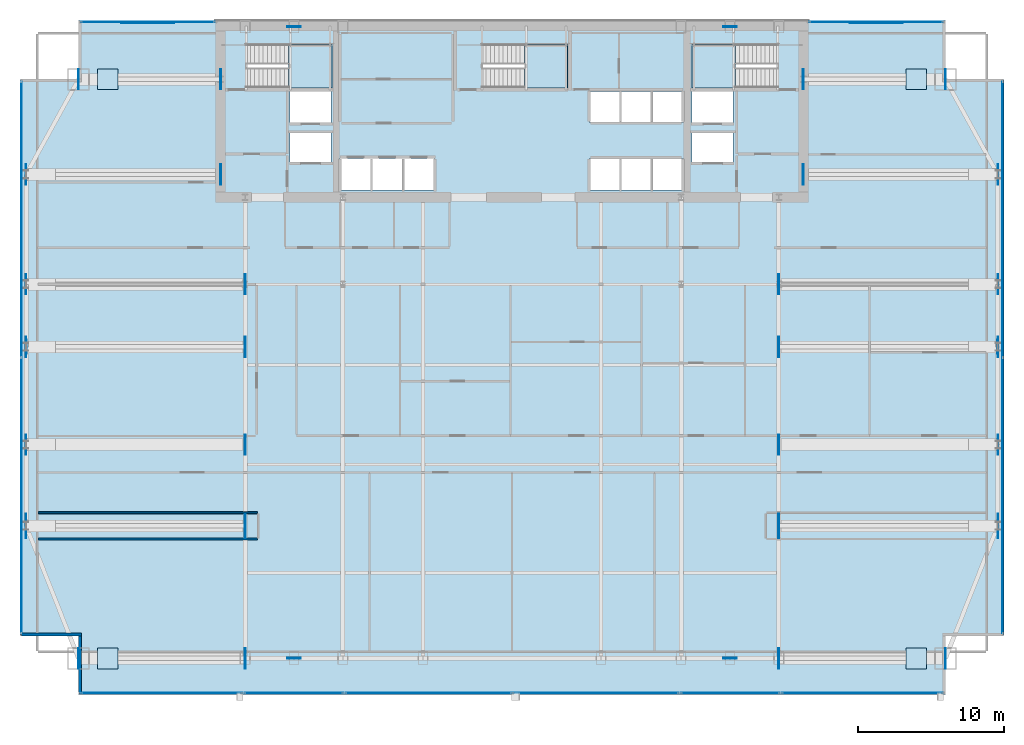
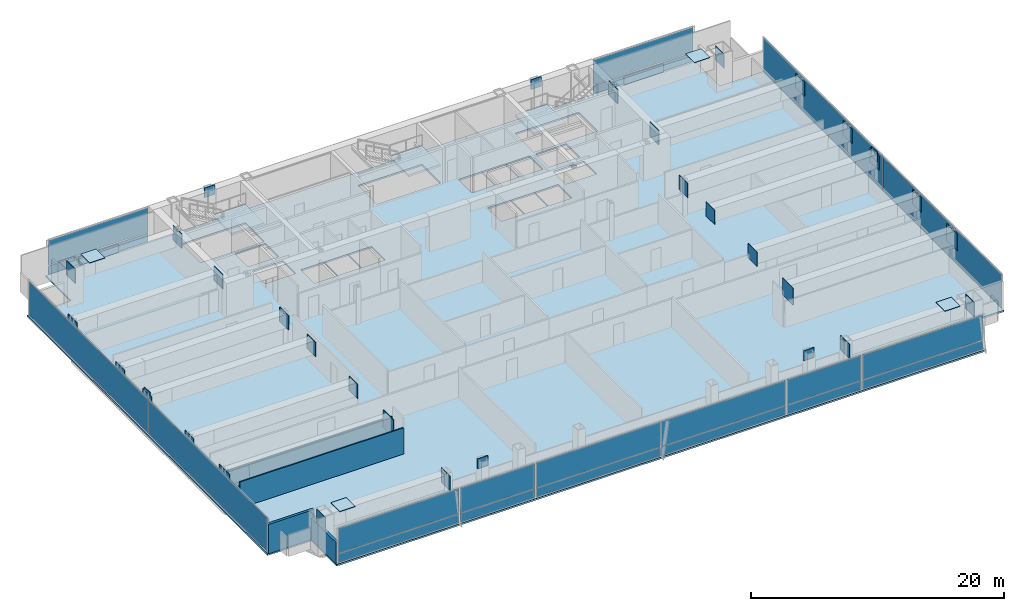
# One storey, part 24 of 30: 60 plates, 4 slabs, 4 walls, 12 elements without a shape of their own.
"""IFC4 building model written with IfcOpenShell, lengths in metres."""

from ifc_helpers import new_model, si_unit, direction, frame, frame_2d, origin, origin_2d, place, context, subcontext, project, spatial, polyline, rectangle, outline, extrude, material, layer, layer_set, type_object, element, aggregate, save


model = new_model("IFC4")

# Units and contexts
model_context = context("Model", 3, precision=1e-05, world=origin(), true_north=direction((0.0, 1.0)))
body_context = subcontext(model_context, "Body", "Model", "MODEL_VIEW")
ifc_project = project(units=[si_unit("LENGTHUNIT", "METRE"), si_unit("AREAUNIT", "SQUARE_METRE"), si_unit("VOLUMEUNIT", "CUBIC_METRE"), si_unit("PLANEANGLEUNIT", "RADIAN"), si_unit("MASSUNIT", "GRAM", prefix="KILO")], contexts=[model_context])

# Site, building, storey
site_placement = place(None, origin())
site = spatial("IfcSite", under=ifc_project, at=site_placement, CompositionType="ELEMENT")
building_placement = place(site_placement, origin())
building = spatial("IfcBuilding", under=site, at=building_placement, Name="Khoronbel Lancet Exchange", CompositionType="ELEMENT")
storey_placement = place(building_placement, frame((0.0, 0.0, 132.60009765625)))
storey = spatial("IfcBuildingStorey", under=building, at=storey_placement, Name="L32", CompositionType="ELEMENT", Elevation=132.60009765625)

# Curtain wall, plates
ifc_material_1 = material(Name="Low-E Solar Control Insulating Glass", Category="glass")
curtain_wall_type_1 = type_object("IfcCurtainWallType", Name="CW-4", PredefinedType="NOTDEFINED", material=ifc_material_1)
curtain_wall_1_placement = place(storey_placement, origin())
curtain_wall_1 = element("IfcCurtainWall", 1, at=curtain_wall_1_placement, inside=storey, type_object=curtain_wall_type_1, Name="Unitised curtain wall CW-L32-E03", PredefinedType="NOTDEFINED")
ifc_material_2 = material(Name="Bronze-Anodised Aluminium 6063-T6", Category="aluminium")
ifc_layer_1 = layer(ifc_material_2, 0.050048828125, Name="Bronze-Anodised Aluminium 6063-T6")
ifc_layer_set_1 = layer_set([ifc_layer_1], Name="Bronze-Anodised Aluminium 6063-T6")
plate_type_1 = type_object("IfcPlateType", Name="PLT-CSP1", PredefinedType="SHEET", material=ifc_layer_set_1)
plate_1_placement = place(storey_placement, frame((2.93994140625, 21.263671875, 0.0849609375), z_axis=(0.0, 0.0, 1.0), x_axis=(0.0, 1.0, 0.0)))
plate_1 = element("IfcPlate", 2, at=plate_1_placement, type_object=plate_type_1, Name="CW4 panel 1.1", PredefinedType="CURTAIN_PANEL", context=body_context, shape_type="SweptSolid", body=[
    extrude(rectangle(XDim=18.797607421875, YDim=0.0380859375, at=origin_2d()), origin(), (0.0, 0.0, 1.0), 3.27001953125),
])
plate_2_placement = place(storey_placement, frame((2.93994140625, 40.13623046875, 0.0849609375), z_axis=(0.0, 0.0, 1.0), x_axis=(0.0, 1.0, 0.0)))
plate_2 = element("IfcPlate", 3, at=plate_2_placement, type_object=plate_type_1, Name="CW4 panel 2.1", PredefinedType="CURTAIN_PANEL", context=body_context, shape_type="SweptSolid", body=[
    extrude(rectangle(XDim=18.797607421875, YDim=0.0380859375, at=origin_2d()), origin(), (0.0, 0.0, 1.0), 3.27001953125),
])
aggregate(curtain_wall_1, [plate_1, plate_2])

# Curtain wall, plate
curtain_wall_type_2 = type_object("IfcCurtainWallType", Name="CW-2", PredefinedType="NOTDEFINED", material=ifc_material_1)
curtain_wall_2_placement = place(storey_placement, origin())
curtain_wall_2 = element("IfcCurtainWall", 4, at=curtain_wall_2_placement, inside=storey, type_object=curtain_wall_type_2, Name="Unitised curtain wall CW-L32-NWFLK", PredefinedType="NOTDEFINED")
plate_3_placement = place(storey_placement, frame((11.580078125, 53.550048828125, 0.0498046875), z_axis=(0.0, 0.0, 1.0), x_axis=(-1.0, 0.0, 0.0)))
plate_3 = element("IfcPlate", 5, at=plate_3_placement, type_object=plate_type_1, Name="Insulated bronze spandrel cassette CW-L32-NWFLK", PredefinedType="SHEET", context=body_context, shape_type="SweptSolid", body=[
    extrude(rectangle(XDim=3.60009765625, YDim=0.050048828125, at=origin_2d()), origin(), (0.0, 0.0, 1.0), 0.800048828125),
])

curtain_wall_3_placement = place(storey_placement, origin())
curtain_wall_3 = element("IfcCurtainWall", 6, at=curtain_wall_3_placement, inside=storey, type_object=curtain_wall_type_2, Name="Unitised curtain wall CW-L32-NEFLK", PredefinedType="NOTDEFINED")
plate_4_placement = place(storey_placement, frame((61.320068359375, 53.550048828125, 0.0498046875), z_axis=(0.0, 0.0, 1.0), x_axis=(-1.0, 0.0, 0.0)))
plate_4 = element("IfcPlate", 7, at=plate_4_placement, type_object=plate_type_1, Name="Insulated bronze spandrel cassette CW-L32-NEFLK", PredefinedType="SHEET", context=body_context, shape_type="SweptSolid", body=[
    extrude(rectangle(XDim=3.60009765625, YDim=0.050048828125, at=origin_2d()), origin(), (0.0, 0.0, 1.0), 0.800048828125),
])

# Curtain wall, plates
curtain_wall_4_placement = place(storey_placement, origin())
curtain_wall_4 = element("IfcCurtainWall", 8, at=curtain_wall_4_placement, inside=storey, type_object=curtain_wall_type_1, Name="Unitised curtain wall CW-L32-E09", PredefinedType="NOTDEFINED")
plate_5_placement = place(storey_placement, frame((69.9599609375, 40.13623046875, 0.0849609375), z_axis=(0.0, 0.0, 1.0), x_axis=(0.0, -1.0, 0.0)))
plate_5 = element("IfcPlate", 9, at=plate_5_placement, type_object=plate_type_1, Name="CW4 panel 1.1", PredefinedType="CURTAIN_PANEL", context=body_context, shape_type="SweptSolid", body=[
    extrude(rectangle(XDim=18.797607421875, YDim=0.0380859375, at=origin_2d()), origin(), (0.0, 0.0, 1.0), 3.27001953125),
])
plate_6_placement = place(storey_placement, frame((69.9599609375, 21.263671875, 0.0849609375), z_axis=(0.0, 0.0, 1.0), x_axis=(0.0, -1.0, 0.0)))
plate_6 = element("IfcPlate", 10, at=plate_6_placement, type_object=plate_type_1, Name="CW4 panel 2.1", PredefinedType="CURTAIN_PANEL", context=body_context, shape_type="SweptSolid", body=[
    extrude(rectangle(XDim=18.797607421875, YDim=0.0380859375, at=origin_2d()), origin(), (0.0, 0.0, 1.0), 3.27001953125),
])
aggregate(curtain_wall_4, [plate_5, plate_6])

curtain_wall_5_placement = place(storey_placement, origin())
curtain_wall_5 = element("IfcCurtainWall", 11, at=curtain_wall_5_placement, inside=storey, type_object=curtain_wall_type_2, Name="Unitised curtain wall CW-L32-SWB", PredefinedType="NOTDEFINED")
plate_7_placement = place(storey_placement, frame((21.550048828125, 7.7900390625, 0.0849609375), z_axis=(0.0, 0.0, 1.0), x_axis=(1.0, 0.0, 0.0)))
plate_7 = element("IfcPlate", 12, at=plate_7_placement, type_object=plate_type_1, Name="CW2 panel 1.1", PredefinedType="CURTAIN_PANEL", context=body_context, shape_type="SweptSolid", body=[
    extrude(rectangle(XDim=6.72998046875, YDim=0.0380859375, at=origin_2d()), origin(), (0.0, 0.0, 1.0), 0.822509765625),
])
plate_8_placement = place(storey_placement, frame((21.550048828125, 7.7900390625, 0.9921875), z_axis=(0.0, 0.0, 1.0), x_axis=(1.0, 0.0, 0.0)))
plate_8 = element("IfcPlate", 13, at=plate_8_placement, type_object=plate_type_1, Name="CW2 panel 1.2", PredefinedType="CURTAIN_PANEL", context=body_context, shape_type="SweptSolid", body=[
    extrude(rectangle(XDim=6.72998046875, YDim=0.0380859375, at=origin_2d()), origin(), (0.0, 0.0, 1.0), 2.362548828125),
])
aggregate(curtain_wall_5, [plate_7, plate_8])

curtain_wall_6_placement = place(storey_placement, origin())
curtain_wall_6 = element("IfcCurtainWall", 14, at=curtain_wall_6_placement, inside=storey, type_object=curtain_wall_type_2, Name="Unitised curtain wall CW-L32-SEB", PredefinedType="NOTDEFINED")
plate_9_placement = place(storey_placement, frame((51.35009765625, 7.7900390625, 0.0849609375), z_axis=(0.0, 0.0, 1.0), x_axis=(1.0, 0.0, 0.0)))
plate_9 = element("IfcPlate", 15, at=plate_9_placement, type_object=plate_type_1, Name="CW2 panel 1.1", PredefinedType="CURTAIN_PANEL", context=body_context, shape_type="SweptSolid", body=[
    extrude(rectangle(XDim=6.72998046875, YDim=0.0380859375, at=origin_2d()), origin(), (0.0, 0.0, 1.0), 0.822509765625),
])
plate_10_placement = place(storey_placement, frame((51.35009765625, 7.7900390625, 0.9921875), z_axis=(0.0, 0.0, 1.0), x_axis=(1.0, 0.0, 0.0)))
plate_10 = element("IfcPlate", 16, at=plate_10_placement, type_object=plate_type_1, Name="CW2 panel 1.2", PredefinedType="CURTAIN_PANEL", context=body_context, shape_type="SweptSolid", body=[
    extrude(rectangle(XDim=6.72998046875, YDim=0.0380859375, at=origin_2d()), origin(), (0.0, 0.0, 1.0), 2.362548828125),
])
aggregate(curtain_wall_6, [plate_9, plate_10])

# Plate
ifc_layer_2 = layer(ifc_material_1, 0.035888671875, Name="Low-E Solar Control Insulating Glass")
ifc_layer_set_2 = layer_set([ifc_layer_2], Name="Low-E Solar Control Insulating Glass")
plate_type_2 = type_object("IfcPlateType", Name="PLT-CWP1", PredefinedType="CURTAIN_PANEL", material=ifc_layer_set_2)
plate_11_placement = place(storey_placement, frame((11.580078125, 53.610107421875, 0.0849609375), z_axis=(0.0, 0.0, 1.0), x_axis=(-1.0, 0.0, 0.0)))
plate_11 = element("IfcPlate", 17, at=plate_11_placement, type_object=plate_type_2, Name="CW2 panel 1.1", PredefinedType="CURTAIN_PANEL", context=body_context, shape_type="SweptSolid", body=[
    extrude(rectangle(XDim=9.110107421875, YDim=0.0380859375, at=origin_2d()), origin(), (0.0, 0.0, 1.0), 0.822509765625),
])

plate_12_placement = place(storey_placement, frame((11.580078125, 53.610107421875, 0.9921875), z_axis=(0.0, 0.0, 1.0), x_axis=(-1.0, 0.0, 0.0)))
plate_12 = element("IfcPlate", 18, at=plate_12_placement, type_object=plate_type_2, Name="CW2 panel 1.2", PredefinedType="CURTAIN_PANEL", context=body_context, shape_type="SweptSolid", body=[
    extrude(rectangle(XDim=9.110107421875, YDim=0.0380859375, at=origin_2d()), origin(), (0.0, 0.0, 1.0), 2.362548828125),
])

aggregate(curtain_wall_2, [plate_11, plate_12, plate_3])

plate_13_placement = place(storey_placement, frame((61.320068359375, 53.610107421875, 0.0849609375), z_axis=(0.0, 0.0, 1.0), x_axis=(-1.0, 0.0, 0.0)))
plate_13 = element("IfcPlate", 19, at=plate_13_placement, type_object=plate_type_2, Name="CW2 panel 1.1", PredefinedType="CURTAIN_PANEL", context=body_context, shape_type="SweptSolid", body=[
    extrude(rectangle(XDim=9.110107421875, YDim=0.0380859375, at=origin_2d()), origin(), (0.0, 0.0, 1.0), 0.822509765625),
])

plate_14_placement = place(storey_placement, frame((61.320068359375, 53.610107421875, 0.9921875), z_axis=(0.0, 0.0, 1.0), x_axis=(-1.0, 0.0, 0.0)))
plate_14 = element("IfcPlate", 20, at=plate_14_placement, type_object=plate_type_2, Name="CW2 panel 1.2", PredefinedType="CURTAIN_PANEL", context=body_context, shape_type="SweptSolid", body=[
    extrude(rectangle(XDim=9.110107421875, YDim=0.0380859375, at=origin_2d()), origin(), (0.0, 0.0, 1.0), 2.362548828125),
])

aggregate(curtain_wall_3, [plate_13, plate_14, plate_4])

# Curtain wall, plates
curtain_wall_7_placement = place(storey_placement, origin())
curtain_wall_7 = element("IfcCurtainWall", 21, at=curtain_wall_7_placement, inside=storey, type_object=curtain_wall_type_2, Name="Unitised curtain wall CW-L32-SWV", PredefinedType="NOTDEFINED")
plate_15_placement = place(storey_placement, frame((12.52001953125, 7.7900390625, 0.0849609375), z_axis=(0.0, 0.0, 1.0), x_axis=(1.0, 0.0, 0.0)))
plate_15 = element("IfcPlate", 22, at=plate_15_placement, type_object=plate_type_2, Name="CW2 panel 1.1", PredefinedType="CURTAIN_PANEL", context=body_context, shape_type="SweptSolid", body=[
    extrude(rectangle(XDim=10.989990234375, YDim=0.0380859375, at=origin_2d()), origin(), (0.0, 0.0, 1.0), 0.822509765625),
])
plate_16_placement = place(storey_placement, frame((12.52001953125, 7.7900390625, 0.9921875), z_axis=(0.0, 0.0, 1.0), x_axis=(1.0, 0.0, 0.0)))
plate_16 = element("IfcPlate", 23, at=plate_16_placement, type_object=plate_type_2, Name="CW2 panel 1.2", PredefinedType="CURTAIN_PANEL", context=body_context, shape_type="SweptSolid", body=[
    extrude(rectangle(XDim=10.989990234375, YDim=0.0380859375, at=origin_2d()), origin(), (0.0, 0.0, 1.0), 2.362548828125),
])
aggregate(curtain_wall_7, [plate_15, plate_16])

curtain_wall_8_placement = place(storey_placement, origin())
curtain_wall_8 = element("IfcCurtainWall", 24, at=curtain_wall_8_placement, inside=storey, type_object=curtain_wall_type_2, Name="Unitised curtain wall CW-L32-SCV", PredefinedType="NOTDEFINED")
plate_17_placement = place(storey_placement, frame((30.746337890625, 7.7900390625, 0.0849609375), z_axis=(0.0, 0.0, 1.0), x_axis=(1.0, 0.0, 0.0)))
plate_17 = element("IfcPlate", 25, at=plate_17_placement, type_object=plate_type_2, Name="CW2 panel 1.1", PredefinedType="CURTAIN_PANEL", context=body_context, shape_type="SweptSolid", body=[
    extrude(rectangle(XDim=11.322509765625, YDim=0.0380859375, at=origin_2d()), origin(), (0.0, 0.0, 1.0), 0.822509765625),
])
plate_18_placement = place(storey_placement, frame((30.746337890625, 7.7900390625, 0.9921875), z_axis=(0.0, 0.0, 1.0), x_axis=(1.0, 0.0, 0.0)))
plate_18 = element("IfcPlate", 26, at=plate_18_placement, type_object=plate_type_2, Name="CW2 panel 1.2", PredefinedType="CURTAIN_PANEL", context=body_context, shape_type="SweptSolid", body=[
    extrude(rectangle(XDim=11.322509765625, YDim=0.0380859375, at=origin_2d()), origin(), (0.0, 0.0, 1.0), 2.362548828125),
])
plate_19_placement = place(storey_placement, frame((42.15380859375, 7.7900390625, 0.0849609375), z_axis=(0.0, 0.0, 1.0), x_axis=(1.0, 0.0, 0.0)))
plate_19 = element("IfcPlate", 27, at=plate_19_placement, type_object=plate_type_2, Name="CW2 panel 2.1", PredefinedType="CURTAIN_PANEL", context=body_context, shape_type="SweptSolid", body=[
    extrude(rectangle(XDim=11.322509765625, YDim=0.0380859375, at=origin_2d()), origin(), (0.0, 0.0, 1.0), 0.822509765625),
])
plate_20_placement = place(storey_placement, frame((42.15380859375, 7.7900390625, 0.9921875), z_axis=(0.0, 0.0, 1.0), x_axis=(1.0, 0.0, 0.0)))
plate_20 = element("IfcPlate", 28, at=plate_20_placement, type_object=plate_type_2, Name="CW2 panel 2.2", PredefinedType="CURTAIN_PANEL", context=body_context, shape_type="SweptSolid", body=[
    extrude(rectangle(XDim=11.322509765625, YDim=0.0380859375, at=origin_2d()), origin(), (0.0, 0.0, 1.0), 2.362548828125),
])
aggregate(curtain_wall_8, [plate_17, plate_18, plate_19, plate_20])

curtain_wall_9_placement = place(storey_placement, origin())
curtain_wall_9 = element("IfcCurtainWall", 29, at=curtain_wall_9_placement, inside=storey, type_object=curtain_wall_type_2, Name="Unitised curtain wall CW-L32-SEV", PredefinedType="NOTDEFINED")
plate_21_placement = place(storey_placement, frame((60.3798828125, 7.7900390625, 0.0849609375), z_axis=(0.0, 0.0, 1.0), x_axis=(1.0, 0.0, 0.0)))
plate_21 = element("IfcPlate", 30, at=plate_21_placement, type_object=plate_type_2, Name="CW2 panel 1.1", PredefinedType="CURTAIN_PANEL", context=body_context, shape_type="SweptSolid", body=[
    extrude(rectangle(XDim=10.989990234375, YDim=0.0380859375, at=origin_2d()), origin(), (0.0, 0.0, 1.0), 0.822509765625),
])
plate_22_placement = place(storey_placement, frame((60.3798828125, 7.7900390625, 0.9921875), z_axis=(0.0, 0.0, 1.0), x_axis=(1.0, 0.0, 0.0)))
plate_22 = element("IfcPlate", 31, at=plate_22_placement, type_object=plate_type_2, Name="CW2 panel 1.2", PredefinedType="CURTAIN_PANEL", context=body_context, shape_type="SweptSolid", body=[
    extrude(rectangle(XDim=10.989990234375, YDim=0.0380859375, at=origin_2d()), origin(), (0.0, 0.0, 1.0), 2.362548828125),
])
aggregate(curtain_wall_9, [plate_21, plate_22])

# Plates
ifc_material_3 = material(Name="Steel S460", Category="steel")
ifc_layer_3 = layer(ifc_material_3, 0.044921875, Name="Steel S460")
ifc_layer_set_3 = layer_set([ifc_layer_3], Name="Steel S460")
plate_type_3 = type_object("IfcPlateType", Name="PLT-ECP1", PredefinedType="USERDEFINED", material=ifc_layer_set_3)
for number, where, z_axis, x_axis, name in (
    (32, (6.840087890625, 10.14990234375, 2.08984375), (0.0, 0.0, 1.0), (-1.0, 0.0, 0.0), "Hollow end cap plate PLT-CAP-BM-L32-ZTG-MC-SW-0"),
    (33, (18.235107421875, 10.14990234375, 2.08984375), (0.0, 0.0, 1.0), (1.0, 0.0, 0.0), "Hollow end cap plate PLT-CAP-BM-L32-ZTG-MC-SW-1"),
    (34, (54.6650390625, 10.14990234375, 2.08984375), (0.0, 0.0, 1.0), (-1.0, 0.0, 0.0), "Hollow end cap plate PLT-CAP-BM-L32-ZTG-MC-SE-0"),
    (35, (66.06005859375, 10.14990234375, 2.08984375), (0.0, 0.0, 1.0), (1.0, 0.0, 0.0), "Hollow end cap plate PLT-CAP-BM-L32-ZTG-MC-SE-1"),
    (36, (6.840087890625, 49.699951171875, 2.08984375), (0.0, 0.0, 1.0), (-1.0, 0.0, 0.0), "Hollow end cap plate PLT-CAP-BM-L32-ZTG-MC-NW-0"),
    (37, (16.56005859375, 49.699951171875, 2.08984375), (0.0, 0.0, 1.0), (1.0, 0.0, 0.0), "Hollow end cap plate PLT-CAP-BM-L32-ZTG-MC-NW-1"),
    (38, (56.340087890625, 49.699951171875, 2.08984375), (0.0, 0.0, 1.0), (-1.0, 0.0, 0.0), "Hollow end cap plate PLT-CAP-BM-L32-ZTG-MC-NE-0"),
    (39, (66.06005859375, 49.699951171875, 2.08984375), (0.0, 0.0, 1.0), (1.0, 0.0, 0.0), "Hollow end cap plate PLT-CAP-BM-L32-ZTG-MC-NE-1"),
):
    element("IfcPlate", number, at=place(storey_placement, frame(where, z_axis=z_axis, x_axis=x_axis)), inside=storey, type_object=plate_type_3, Name=name, ObjectType="STIFFENER_PLATE", PredefinedType="USERDEFINED", context=body_context, shape_type="SweptSolid", body=[
        extrude(rectangle(XDim=0.044921875, YDim=1.3798828125, at=origin_2d()), origin(), (0.0, 0.0, 1.0), 1.3798828125),
    ])
for number, where, z_axis, x_axis, name in (
    (40, (3.260009765625, 19.199951171875, 1.81005859375), (0.0, 0.0, 1.0), (-1.0, 0.0, 0.0), "Hollow end cap plate PLT-CAP-BM-L32-ZTG-LW1-0"),
    (41, (18.235107421875, 19.199951171875, 1.81005859375), (0.0, 0.0, 1.0), (1.0, 0.0, 0.0), "Hollow end cap plate PLT-CAP-BM-L32-ZTG-LW1-1"),
    (42, (54.6650390625, 19.199951171875, 1.81005859375), (0.0, 0.0, 1.0), (-1.0, 0.0, 0.0), "Hollow end cap plate PLT-CAP-BM-L32-ZTG-LE1-0"),
    (43, (69.639892578125, 19.199951171875, 1.81005859375), (0.0, 0.0, 1.0), (1.0, 0.0, 0.0), "Hollow end cap plate PLT-CAP-BM-L32-ZTG-LE1-1"),
):
    element("IfcPlate", number, at=place(storey_placement, frame(where, z_axis=z_axis, x_axis=x_axis)), inside=storey, type_object=plate_type_3, Name=name, ObjectType="STIFFENER_PLATE", PredefinedType="USERDEFINED", context=body_context, shape_type="SweptSolid", body=[
        extrude(rectangle(XDim=0.044921875, YDim=1.659912109375, at=origin_2d()), origin(), (0.0, 0.0, 1.0), 1.659912109375),
    ])
for number, where, z_axis, x_axis, name in (
    (44, (3.260009765625, 24.75, 2.08984375), (0.0, 0.0, 1.0), (-1.0, 0.0, 0.0), "Hollow end cap plate PLT-CAP-BM-L32-ZTG-LW2-0"),
    (45, (18.235107421875, 24.75, 2.08984375), (0.0, 0.0, 1.0), (1.0, 0.0, 0.0), "Hollow end cap plate PLT-CAP-BM-L32-ZTG-LW2-1"),
    (46, (54.6650390625, 24.75, 2.08984375), (0.0, 0.0, 1.0), (-1.0, 0.0, 0.0), "Hollow end cap plate PLT-CAP-BM-L32-ZTG-LE2-0"),
    (47, (69.639892578125, 24.75, 2.08984375), (0.0, 0.0, 1.0), (1.0, 0.0, 0.0), "Hollow end cap plate PLT-CAP-BM-L32-ZTG-LE2-1"),
    (48, (3.260009765625, 31.425048828125, 2.08984375), (0.0, 0.0, 1.0), (-1.0, 0.0, 0.0), "Hollow end cap plate PLT-CAP-BM-L32-ZTG-LW3-0"),
    (49, (18.235107421875, 31.425048828125, 2.08984375), (0.0, 0.0, 1.0), (1.0, 0.0, 0.0), "Hollow end cap plate PLT-CAP-BM-L32-ZTG-LW3-1"),
    (50, (54.6650390625, 31.425048828125, 2.08984375), (0.0, 0.0, 1.0), (-1.0, 0.0, 0.0), "Hollow end cap plate PLT-CAP-BM-L32-ZTG-LE3-0"),
    (51, (69.639892578125, 31.425048828125, 2.08984375), (0.0, 0.0, 1.0), (1.0, 0.0, 0.0), "Hollow end cap plate PLT-CAP-BM-L32-ZTG-LE3-1"),
    (52, (3.260009765625, 35.699951171875, 2.08984375), (0.0, 0.0, 1.0), (-1.0, 0.0, 0.0), "Hollow end cap plate PLT-CAP-BM-L32-ZTG-LW4-0"),
    (53, (18.235107421875, 35.699951171875, 2.08984375), (0.0, 0.0, 1.0), (1.0, 0.0, 0.0), "Hollow end cap plate PLT-CAP-BM-L32-ZTG-LW4-1"),
    (54, (54.6650390625, 35.699951171875, 2.08984375), (0.0, 0.0, 1.0), (-1.0, 0.0, 0.0), "Hollow end cap plate PLT-CAP-BM-L32-ZTG-LE4-0"),
    (55, (69.639892578125, 35.699951171875, 2.08984375), (0.0, 0.0, 1.0), (1.0, 0.0, 0.0), "Hollow end cap plate PLT-CAP-BM-L32-ZTG-LE4-1"),
    (56, (3.260009765625, 43.199951171875, 2.08984375), (0.0, 0.0, 1.0), (-1.0, 0.0, 0.0), "Hollow end cap plate PLT-CAP-BM-L32-ZTG-LW5-0"),
    (57, (16.56005859375, 43.199951171875, 2.08984375), (0.0, 0.0, 1.0), (1.0, 0.0, 0.0), "Hollow end cap plate PLT-CAP-BM-L32-ZTG-LW5-1"),
    (58, (56.340087890625, 43.199951171875, 2.08984375), (0.0, 0.0, 1.0), (-1.0, 0.0, 0.0), "Hollow end cap plate PLT-CAP-BM-L32-ZTG-LE5-0"),
    (59, (69.639892578125, 43.199951171875, 2.08984375), (0.0, 0.0, 1.0), (1.0, 0.0, 0.0), "Hollow end cap plate PLT-CAP-BM-L32-ZTG-LE5-1"),
):
    element("IfcPlate", number, at=place(storey_placement, frame(where, z_axis=z_axis, x_axis=x_axis)), inside=storey, type_object=plate_type_3, Name=name, ObjectType="STIFFENER_PLATE", PredefinedType="USERDEFINED", context=body_context, shape_type="SweptSolid", body=[
        extrude(rectangle(XDim=0.044921875, YDim=1.3798828125, at=origin_2d()), origin(), (0.0, 0.0, 1.0), 1.3798828125),
    ])
plate_23_placement = place(storey_placement, frame((0.0, 0.0, 3.56689453125)))
element("IfcPlate", 60, at=plate_23_placement, inside=storey, type_object=plate_type_3, Name="Hollow end cap plate PLT-CAP-COL-L33-MC-SW-BOT", ObjectType="STIFFENER_PLATE", PredefinedType="USERDEFINED", context=body_context, shape_type="SweptSolid", body=[
    extrude(outline(polyline([(8.14501953125, 9.445068359375), (9.554931640625, 9.445068359375), (9.554931640625, 10.85498046875), (8.14501953125, 10.85498046875), (8.14501953125, 9.445068359375)])), origin(), (0.0, 0.0, 1.0), 0.044921875),
])
plate_24_placement = place(storey_placement, frame((0.0, 0.0, 3.56689453125)))
element("IfcPlate", 61, at=plate_24_placement, inside=storey, type_object=plate_type_3, Name="Hollow end cap plate PLT-CAP-COL-L33-MC-SE-BOT", ObjectType="STIFFENER_PLATE", PredefinedType="USERDEFINED", context=body_context, shape_type="SweptSolid", body=[
    extrude(outline(polyline([(63.344970703125, 9.445068359375), (64.7548828125, 9.445068359375), (64.7548828125, 10.85498046875), (63.344970703125, 10.85498046875), (63.344970703125, 9.445068359375)])), origin(), (0.0, 0.0, 1.0), 0.044921875),
])
plate_25_placement = place(storey_placement, frame((0.0, 0.0, 3.56689453125)))
element("IfcPlate", 62, at=plate_25_placement, inside=storey, type_object=plate_type_3, Name="Hollow end cap plate PLT-CAP-COL-L33-MC-NE-BOT", ObjectType="STIFFENER_PLATE", PredefinedType="USERDEFINED", context=body_context, shape_type="SweptSolid", body=[
    extrude(outline(polyline([(63.344970703125, 48.9951171875), (64.7548828125, 48.9951171875), (64.7548828125, 50.405029296875), (63.344970703125, 50.405029296875), (63.344970703125, 48.9951171875)])), origin(), (0.0, 0.0, 1.0), 0.044921875),
])
plate_26_placement = place(storey_placement, frame((0.0, 0.0, 3.56689453125)))
element("IfcPlate", 63, at=plate_26_placement, inside=storey, type_object=plate_type_3, Name="Hollow end cap plate PLT-CAP-COL-L33-MC-NW-BOT", ObjectType="STIFFENER_PLATE", PredefinedType="USERDEFINED", context=body_context, shape_type="SweptSolid", body=[
    extrude(outline(polyline([(8.14501953125, 48.9951171875), (9.554931640625, 48.9951171875), (9.554931640625, 50.405029296875), (8.14501953125, 50.405029296875), (8.14501953125, 48.9951171875)])), origin(), (0.0, 0.0, 1.0), 0.044921875),
])
ifc_layer_4 = layer(ifc_material_3, 0.06005859375, Name="Steel S460")
ifc_layer_set_4 = layer_set([ifc_layer_4], Name="Steel S460")
plate_type_4 = type_object("IfcPlateType", Name="PLT-ND1", PredefinedType="USERDEFINED", material=ifc_layer_set_4)
for number, where, z_axis, x_axis, name in (
    (64, (21.5625, 10.14990234375, 2.77490234375), (0.0, 0.0, 1.0), (1.0, 0.0, 0.0), "ND1 perimeter brace node gusset T10-S-W"),
    (65, (51.33740234375, 10.14990234375, 2.77490234375), (0.0, 0.0, 1.0), (1.0, 0.0, 0.0), "ND1 perimeter brace node gusset T10-S-E"),
    (66, (21.5625, 53.280029296875, 2.77490234375), (0.0, 0.0, 1.0), (1.0, 0.0, 0.0), "ND1 perimeter brace node gusset T10-N-W"),
    (67, (51.33740234375, 53.280029296875, 2.77490234375), (0.0, 0.0, 1.0), (1.0, 0.0, 0.0), "ND1 perimeter brace node gusset T10-N-E"),
    (68, (3.27001953125, 31.425048828125, 2.77490234375), (0.0, 0.0, 1.0), (0.0, 1.0, 0.0), "ND1 perimeter brace node gusset T10-W-P"),
    (69, (69.6298828125, 31.425048828125, 2.77490234375), (0.0, 0.0, 1.0), (0.0, 1.0, 0.0), "ND1 perimeter brace node gusset T10-E-P"),
):
    element("IfcPlate", number, at=place(storey_placement, frame(where, z_axis=z_axis, x_axis=x_axis)), inside=storey, type_object=plate_type_4, Name=name, ObjectType="GUSSET_PLATE", PredefinedType="USERDEFINED", context=body_context, shape_type="SweptSolid", body=[
        extrude(rectangle(XDim=0.949951171875, YDim=0.06005859375, at=origin_2d()), origin(), (0.0, 0.0, 1.0), 0.949951171875),
    ])

# Slab
ifc_material_4 = material(Name="Concrete C40/50", Category="concrete")
ifc_layer_5 = layer(ifc_material_4, 0.159912109375, Name="Concrete C40/50")
ifc_layer_set_5 = layer_set([ifc_layer_5], Name="Concrete C40/50")
slab_type_1 = type_object("IfcSlabType", Name="SL-FL160", PredefinedType="FLOOR", material=ifc_layer_set_5)
slab_1_placement = place(storey_placement, frame((0.0, 0.0, -0.16015625)))
element("IfcSlab", 70, at=slab_1_placement, inside=storey, type_object=slab_type_1, Name="Level L32 composite structural floor slab", PredefinedType="FLOOR", context=body_context, shape_type="SweptSolid", body=[
    extrude(outline(polyline([(6.85009765625, 7.699951171875), (66.050048828125, 7.699951171875), (66.050048828125, 11.699951171875), (70.050048828125, 11.699951171875), (70.050048828125, 15.699951171875), (70.050048828125, 45.699951171875), (70.050048828125, 49.699951171875), (66.050048828125, 49.699951171875), (66.050048828125, 53.699951171875), (6.85009765625, 53.699951171875), (6.85009765625, 49.699951171875), (2.85009765625, 49.699951171875), (2.85009765625, 45.699951171875), (2.85009765625, 15.699951171875), (2.85009765625, 11.699951171875), (6.85009765625, 11.699951171875), (6.85009765625, 7.699951171875)]), holes=[polyline([(18.324951171875, 49.1201171875), (24.14990234375, 49.1201171875), (24.14990234375, 52.10009765625), (18.324951171875, 52.10009765625), (18.324951171875, 49.1201171875)]), polyline([(48.75, 49.1201171875), (54.574951171875, 49.1201171875), (54.574951171875, 52.10009765625), (48.75, 52.10009765625), (48.75, 49.1201171875)]), polyline([(34.425048828125, 49.1201171875), (40.25, 49.1201171875), (40.25, 52.10009765625), (34.425048828125, 52.10009765625), (34.425048828125, 49.1201171875)]), polyline([(24.699951171875, 42.14990234375), (26.840087890625, 42.14990234375), (26.840087890625, 44.300048828125), (24.699951171875, 44.300048828125), (24.699951171875, 42.14990234375)]), polyline([(26.860107421875, 42.14990234375), (29.0, 42.14990234375), (29.0, 44.300048828125), (26.860107421875, 44.300048828125), (26.860107421875, 42.14990234375)]), polyline([(29.02001953125, 42.14990234375), (31.159912109375, 42.14990234375), (31.159912109375, 44.300048828125), (29.02001953125, 44.300048828125), (29.02001953125, 42.14990234375)]), polyline([(41.739990234375, 46.75), (43.8798828125, 46.75), (43.8798828125, 48.85009765625), (41.739990234375, 48.85009765625), (41.739990234375, 46.75)]), polyline([(43.89990234375, 46.75), (46.0400390625, 46.75), (46.0400390625, 48.85009765625), (43.89990234375, 48.85009765625), (43.89990234375, 46.75)]), polyline([(46.06005859375, 46.75), (48.199951171875, 46.75), (48.199951171875, 48.85009765625), (46.06005859375, 48.85009765625), (46.06005859375, 46.75)]), polyline([(41.739990234375, 42.14990234375), (43.8798828125, 42.14990234375), (43.8798828125, 44.300048828125), (41.739990234375, 44.300048828125), (41.739990234375, 42.14990234375)]), polyline([(43.89990234375, 42.14990234375), (46.0400390625, 42.14990234375), (46.0400390625, 44.300048828125), (43.89990234375, 44.300048828125), (43.89990234375, 42.14990234375)]), polyline([(46.06005859375, 42.14990234375), (48.199951171875, 42.14990234375), (48.199951171875, 44.300048828125), (46.06005859375, 44.300048828125), (46.06005859375, 42.14990234375)]), polyline([(21.300048828125, 46.75), (24.10009765625, 46.75), (24.10009765625, 48.85009765625), (21.300048828125, 48.85009765625), (21.300048828125, 46.75)]), polyline([(48.75, 46.75), (51.550048828125, 46.75), (51.550048828125, 48.85009765625), (48.75, 48.85009765625), (48.75, 46.75)]), polyline([(21.300048828125, 44.050048828125), (24.10009765625, 44.050048828125), (24.10009765625, 46.050048828125), (21.300048828125, 46.050048828125), (21.300048828125, 44.050048828125)]), polyline([(48.75, 44.050048828125), (51.550048828125, 44.050048828125), (51.550048828125, 46.050048828125), (48.75, 46.050048828125), (48.75, 44.050048828125)])]), origin(), (0.0, 0.0, 1.0), 0.16015625),
])

# Stair, slab
stair_type = type_object("IfcStairType", Name="STR-CORE150", PredefinedType="HALF_TURN_STAIR", material=ifc_material_4)
stair_1_placement = place(storey_placement, origin())
stair_1 = element("IfcStair", 71, at=stair_1_placement, inside=storey, type_object=stair_type, Name="L32 Protected Exit Stair ST1", PredefinedType="HALF_TURN_STAIR")
ifc_layer_6 = layer(ifc_material_4, 0.199951171875, Name="Concrete C40/50")
ifc_layer_set_6 = layer_set([ifc_layer_6], Name="Concrete C40/50")
slab_type_2 = type_object("IfcSlabType", Name="SL-LND180", PredefinedType="LANDING", material=ifc_layer_set_6)
slab_2_placement = place(storey_placement, frame((0.0, 0.0, 1.599853515625)))
slab_2 = element("IfcSlab", 72, at=slab_2_placement, type_object=slab_type_2, Name="ST1 landing 1", PredefinedType="LANDING", context=body_context, shape_type="SweptSolid", body=[
    extrude(outline(polyline([(21.199951171875, 49.1201171875), (24.14990234375, 49.1201171875), (24.14990234375, 52.10009765625), (21.199951171875, 52.10009765625), (21.199951171875, 49.1201171875)])), origin(), (0.0, 0.0, 1.0), 0.199951171875),
])
aggregate(stair_1, [slab_2])

stair_2_placement = place(storey_placement, origin())
stair_2 = element("IfcStair", 73, at=stair_2_placement, inside=storey, type_object=stair_type, Name="L32 Protected Exit Stair ST2", PredefinedType="HALF_TURN_STAIR")
slab_3_placement = place(storey_placement, frame((0.0, 0.0, 1.599853515625)))
slab_3 = element("IfcSlab", 74, at=slab_3_placement, type_object=slab_type_2, Name="ST2 landing 1", PredefinedType="LANDING", context=body_context, shape_type="SweptSolid", body=[
    extrude(outline(polyline([(51.699951171875, 52.10009765625), (48.75, 52.10009765625), (48.75, 49.1201171875), (51.699951171875, 49.1201171875), (51.699951171875, 52.10009765625)])), origin(), (0.0, 0.0, 1.0), 0.199951171875),
])
aggregate(stair_2, [slab_3])

stair_3_placement = place(storey_placement, origin())
stair_3 = element("IfcStair", 75, at=stair_3_placement, inside=storey, type_object=stair_type, Name="L32 Protected Exit Stair ST3", PredefinedType="HALF_TURN_STAIR")
slab_4_placement = place(storey_placement, frame((0.0, 0.0, 1.599853515625)))
slab_4 = element("IfcSlab", 76, at=slab_4_placement, type_object=slab_type_2, Name="ST3 landing 1", PredefinedType="LANDING", context=body_context, shape_type="SweptSolid", body=[
    extrude(outline(polyline([(37.300048828125, 49.1201171875), (40.25, 49.1201171875), (40.25, 52.10009765625), (37.300048828125, 52.10009765625), (37.300048828125, 49.1201171875)])), origin(), (0.0, 0.0, 1.0), 0.199951171875),
])
aggregate(stair_3, [slab_4])

# Walls
ifc_material_5 = material(Name="Precast concrete C40/50", Category="concrete")
ifc_layer_7 = layer(ifc_material_5, 0.25, Name="Precast concrete C40/50")
ifc_layer_set_7 = layer_set([ifc_layer_7], Name="Precast concrete C40/50")
wall_type_1 = type_object("IfcWallType", Name="WL-EXT250", PredefinedType="SOLIDWALL", material=ifc_layer_set_7)
wall_1_placement = place(storey_placement, frame((6.93994140625, 7.77001953125, 0.0), z_axis=(0.0, 0.0, 1.0), x_axis=(0.0, 1.0, 0.0)))
element("IfcWall", 77, at=wall_1_placement, inside=storey, type_object=wall_type_1, Name="Level L32 notched-corner limestone pier 01", PredefinedType="SOLIDWALL", context=body_context, shape_type="SweptSolid", body=[
    extrude(rectangle(XDim=3.909912109375, YDim=0.219970703125, at=frame_2d((1.955078125, 0.0))), origin(), (0.0, 0.0, 1.0), 2.08984375),
])
wall_2_placement = place(storey_placement, frame((7.050048828125, 11.7900390625, 0.0), z_axis=(0.0, 0.0, 1.0), x_axis=(-1.0, 0.0, 0.0)))
element("IfcWall", 78, at=wall_2_placement, inside=storey, type_object=wall_type_1, Name="Level L32 notched-corner limestone pier 02", PredefinedType="SOLIDWALL", context=body_context, shape_type="SweptSolid", body=[
    extrude(rectangle(XDim=4.130126953125, YDim=0.219970703125, at=frame_2d((2.06494140625, 0.0))), origin(), (0.0, 0.0, 1.0), 2.829833984375),
])
ifc_material_6 = material(Name="Acoustic Metal-Stud & Mineral-Wool Gypsum Partition 120 mm", Category="gypsum")
ifc_layer_8 = layer(ifc_material_6, 0.1201171875, Name="Acoustic Metal-Stud & Mineral-Wool Gypsum Partition 120 mm")
ifc_layer_set_8 = layer_set([ifc_layer_8], Name="Acoustic Metal-Stud & Mineral-Wool Gypsum Partition 120 mm")
wall_type_2 = type_object("IfcWallType", Name="WL-PRT120", PredefinedType="PARTITIONING", material=ifc_layer_set_8)
for number, where, z_axis, x_axis, name in (
    (79, (4.094970703125, 18.300048828125, 0.0), (0.0, 0.0, 1.0), (1.0, 0.0, 0.0), "Level L32 interior partition PW-BLK-WS"),
    (80, (4.094970703125, 20.10009765625, 0.0), (0.0, 0.0, 1.0), (1.0, 0.0, 0.0), "Level L32 interior partition PW-BLK-WN"),
):
    element("IfcWall", number, at=place(storey_placement, frame(where, z_axis=z_axis, x_axis=x_axis)), inside=storey, type_object=wall_type_2, Name=name, PredefinedType="PARTITIONING", context=body_context, shape_type="SweptSolid", body=[
        extrude(rectangle(XDim=14.9599609375, YDim=0.1201171875, at=frame_2d((7.47998046875, 0.0))), origin(), (0.0, 0.0, 1.0), 2.52978515625),
    ])

save(model, "model.ifc")
